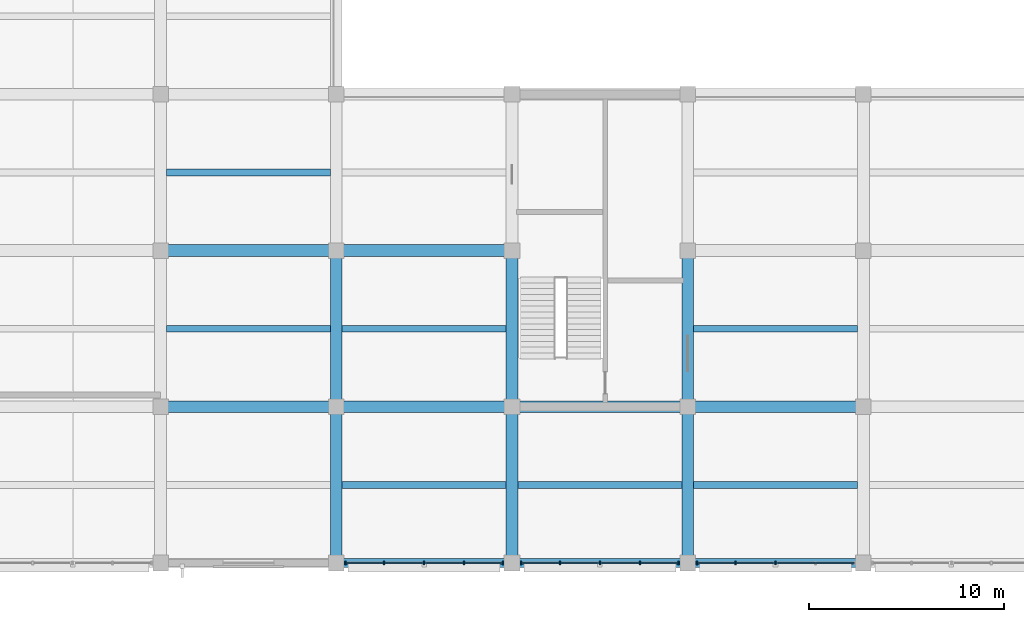
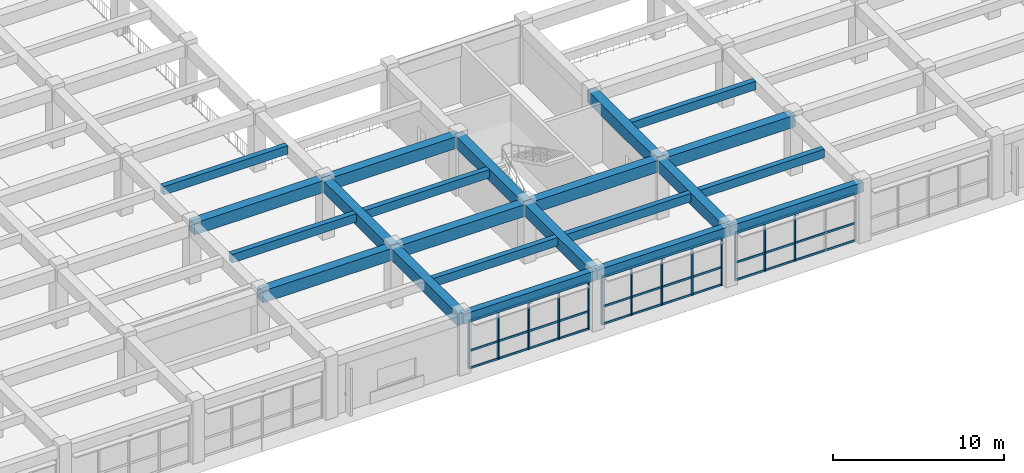
# One storey, part 9 of 50: 22 beams, 22 members, 3 elements without a shape of their own.
"""IFC4 building model written with IfcOpenShell, lengths in metres."""

import ifcopenshell
import ifcopenshell.guid

model = None  # the IFC model being written
_history = None  # IfcOwnerHistory: only IFC2X3 demands one
_inside = {}  # id of a spatial element -> (the spatial element, [elements in it])
_under = {}  # id of a project, library or spatial element -> (it, [spatial elements below it])
_declared = {}  # id of a project -> (the project, [libraries it declares])
_typed = {}  # id of a type object -> (the type object, [elements of that type])
_made_of = {}  # id of a material, layer set ... -> (it, [elements and type objects made of it])


def new_model(schema):
    """Start an empty IFC model of exactly this schema.

    Asked for "IFC4X3", IfcOpenShell would pick the latest addendum, in which some entities
    have other attributes; the version numbers below select the first issue.
    IFC2X3 requires an IfcOwnerHistory on every rooted entity: one is made here for all.
    """
    global model, _history
    if schema == "IFC4X3":
        model = ifcopenshell.file(schema_version=(4, 3, 0, 0))
    else:
        model = ifcopenshell.file(schema=schema)
    _inside.clear()
    _under.clear()
    _declared.clear()
    _typed.clear()
    _made_of.clear()
    _history = None
    if model.schema == "IFC2X3":
        org = make("IfcOrganization", Name="unknown")
        user = make(
            "IfcPersonAndOrganization",
            ThePerson=make("IfcPerson", FamilyName="unknown"),
            TheOrganization=org,
        )
        app = make(
            "IfcApplication",
            ApplicationDeveloper=org,
            Version="unknown",
            ApplicationFullName="unknown",
            ApplicationIdentifier="unknown",
        )
        _history = make(
            "IfcOwnerHistory",
            OwningUser=user,
            OwningApplication=app,
            ChangeAction="ADDED",
            CreationDate=0,
        )
    return model


def make(cls, **values):
    """One entity of the class cls with the attributes given. An attribute that is None is left unset."""
    return model.create_entity(
        cls, **{name: value for name, value in values.items() if value is not None}
    )


def rooted(cls, **values):
    """An entity with a GlobalId (a new one), such as an element, a storey or a relation."""
    return make(cls, GlobalId=ifcopenshell.guid.new(), OwnerHistory=_history, **values)


def si_unit(unit_type, name, prefix=None):
    """IfcSIUnit, for example si_unit("LENGTHUNIT", "METRE", prefix="MILLI")."""
    return make("IfcSIUnit", UnitType=unit_type, Prefix=prefix, Name=name)


def assignment(units):
    """IfcUnitAssignment: the units of a project."""
    return None if units is None else make("IfcUnitAssignment", Units=units)


def point(xyz):
    """IfcCartesianPoint."""
    return None if xyz is None else make("IfcCartesianPoint", Coordinates=xyz)


def direction(xyz):
    """IfcDirection."""
    return None if xyz is None else make("IfcDirection", DirectionRatios=xyz)


def frame(location, z_axis=None, x_axis=None):
    """IfcAxis2Placement3D, a coordinate frame: its origin and axes. An axis left out is left unset."""
    return make(
        "IfcAxis2Placement3D",
        Location=point(location),
        Axis=direction(z_axis),
        RefDirection=direction(x_axis),
    )


def frame_2d(location, x_axis=None):
    """IfcAxis2Placement2D, a coordinate frame in the plane: its origin and x axis."""
    return make(
        "IfcAxis2Placement2D", Location=point(location), RefDirection=direction(x_axis)
    )


def origin():
    """The frame at (0, 0, 0) with its axes left unset."""
    return frame((0.0, 0.0, 0.0))


def origin_2d():
    """The frame at (0, 0) in the plane with its x axis left unset."""
    return frame_2d((0.0, 0.0))


def place(relative_to, where):
    """IfcLocalPlacement: puts the frame where relative to a parent placement (None: the world)."""
    return make(
        "IfcLocalPlacement", PlacementRelTo=relative_to, RelativePlacement=where
    )


def context(
    kind, dimensions, precision=None, world=None, true_north=None, identifier=None
):
    """IfcGeometricRepresentationContext, for example the 3D "Model" context."""
    return make(
        "IfcGeometricRepresentationContext",
        ContextIdentifier=identifier,
        ContextType=kind,
        CoordinateSpaceDimension=dimensions,
        Precision=precision,
        WorldCoordinateSystem=world,
        TrueNorth=true_north,
    )


def subcontext(parent, identifier, kind, view, scale=None):
    """IfcGeometricRepresentationSubContext, for example "Body" below "Model"."""
    return make(
        "IfcGeometricRepresentationSubContext",
        ContextIdentifier=identifier,
        ContextType=kind,
        ParentContext=parent,
        TargetScale=scale,
        TargetView=view,
    )


def project(units=None, contexts=None):
    """IfcProject with its units and contexts."""
    return rooted(
        "IfcProject",
        Name="project",
        RepresentationContexts=contexts,
        UnitsInContext=assignment(units),
    )


def spatial(cls, under=None, at=None, **own):
    """A site, building, storey or space (cls), placed at a placement, below another one or the project."""
    s = rooted(cls, ObjectPlacement=at, **own)
    if under is not None:
        _under.setdefault(under.id(), (under, []))[1].append(s)
    return s


def profile(cls, at=None, kind="AREA", **sizes):
    """A parametric profile (cls). Its sizes go by their IFC names, for example OverallWidth=200.0."""
    return make(cls, ProfileType=kind, Position=at, **sizes)


def rectangle(**sizes):
    """IfcRectangleProfileDef."""
    return profile("IfcRectangleProfileDef", **sizes)


def extrude(swept, where, along, depth):
    """IfcExtrudedAreaSolid: the profile swept, set in the frame where, extruded along a direction by depth."""
    return make(
        "IfcExtrudedAreaSolid",
        SweptArea=swept,
        Position=where,
        ExtrudedDirection=direction(along),
        Depth=depth,
    )


def shape(context_of_items, identifier, shape_type, items):
    """IfcShapeRepresentation: the items that make up one representation, for example the "Body"."""
    return make(
        "IfcShapeRepresentation",
        ContextOfItems=context_of_items,
        RepresentationIdentifier=identifier,
        RepresentationType=shape_type,
        Items=items,
    )


def material(Name=None, Category=None):
    """IfcMaterial."""
    return make("IfcMaterial", Name=Name, Category=Category)


def material_profile(
    of_material, cross_section, Name=None, Category=None, Priority=None
):
    """IfcMaterialProfile: a cross section and its material."""
    return make(
        "IfcMaterialProfile",
        Name=Name,
        Material=of_material,
        Profile=cross_section,
        Priority=Priority,
        Category=Category,
    )


def profile_set(profiles, Name=None, composite=None):
    """IfcMaterialProfileSet."""
    return make(
        "IfcMaterialProfileSet",
        Name=Name,
        MaterialProfiles=profiles,
        CompositeProfile=composite,
    )


def made_of(thing, what):
    """Note that an element or type object is made of a material, layer set ...; save() writes the relation."""
    if what is not None:
        _made_of.setdefault(what.id(), (what, []))[1].append(thing)
    return thing


def type_object(cls, material=None, **own):
    """A type object (cls), such as IfcWallType, which elements share."""
    return made_of(rooted(cls, **own), material)


def element(
    cls,
    number,
    at=None,
    inside=None,
    cuts=None,
    type_object=None,
    material=None,
    context=None,
    identifier="Body",
    shape_type=None,
    held_by="IfcProductDefinitionShape",
    body=None,
    shapes=None,
    **own,
):
    """One element of the class cls, such as IfcWall. Its Tag is "e" and its number.

    at: its placement. inside: the storey or other place that contains it. cuts: it is an
    opening in that element (IfcRelVoidsElement). A single representation is given by context,
    identifier, shape_type and body (its items); several are given by shapes. held_by: the class
    of the entity that holds the representations. save() writes the other relations.
    """
    e = rooted(cls, Tag="e%d" % number, ObjectPlacement=at, **own)
    if body is not None:
        shapes = [shape(context, identifier, shape_type, body)]
    if shapes is not None:
        e.Representation = make(held_by, Representations=shapes)
    if inside is not None:
        _inside.setdefault(inside.id(), (inside, []))[1].append(e)
    if cuts is not None:
        rooted(
            "IfcRelVoidsElement", RelatingBuildingElement=cuts, RelatedOpeningElement=e
        )
    if type_object is not None:
        _typed.setdefault(type_object.id(), (type_object, []))[1].append(e)
    return made_of(e, material)


def aggregate(whole, parts):
    """IfcRelAggregates: a whole, such as a stair, and the parts it consists of."""
    return rooted("IfcRelAggregates", RelatingObject=whole, RelatedObjects=parts)


def save(model, path):
    """Write the relations noted so far, then the file.

    IfcRelAggregates (storeys below a building ...), IfcRelContainedInSpatialStructure (elements
    in a storey), IfcRelDefinesByType, IfcRelAssociatesMaterial and IfcRelDeclares: one each for
    every whole, place, type object, material and project.
    """
    for whole, parts in _under.values():
        aggregate(whole, parts)
    for where, things in _inside.values():
        rooted(
            "IfcRelContainedInSpatialStructure",
            RelatedElements=things,
            RelatingStructure=where,
        )
    for kind, things in _typed.values():
        rooted("IfcRelDefinesByType", RelatedObjects=things, RelatingType=kind)
    for what, things in _made_of.values():
        rooted("IfcRelAssociatesMaterial", RelatedObjects=things, RelatingMaterial=what)
    for by, libraries in _declared.values():
        rooted("IfcRelDeclares", RelatingContext=by, RelatedDefinitions=libraries)
    model.write(path)


model = new_model("IFC4")

# Units and contexts
model_context = context("Model", 3, precision=1e-05, world=origin(), true_north=direction((0.0, 1.0)))
body_context = subcontext(model_context, "Body", "Model", "MODEL_VIEW")
ifc_project = project(units=[si_unit("LENGTHUNIT", "METRE"), si_unit("AREAUNIT", "SQUARE_METRE"), si_unit("VOLUMEUNIT", "CUBIC_METRE"), si_unit("PLANEANGLEUNIT", "RADIAN"), si_unit("MASSUNIT", "GRAM", prefix="KILO")], contexts=[model_context])

# Site, building, storey
site_placement = place(None, origin())
site = spatial("IfcSite", under=ifc_project, at=site_placement, CompositionType="ELEMENT")
building_placement = place(site_placement, origin())
building = spatial("IfcBuilding", under=site, at=building_placement, Name="Zaverband Oceanarium and Marine Research Institute", CompositionType="ELEMENT")
storey_placement = place(building_placement, frame((0.0, 0.0, 4.5)))
storey = spatial("IfcBuildingStorey", under=building, at=storey_placement, Name="L01", CompositionType="ELEMENT", Elevation=4.5)

# Beams
ifc_material_1 = material(Name="Concrete C40/50", Category="concrete")
ifc_material_profile_1 = material_profile(ifc_material_1, rectangle(XDim=0.60009765625, YDim=0.85009765625, at=origin_2d()), Name="RC600x850")
ifc_profile_set_1 = profile_set([ifc_material_profile_1], Name="Concrete C40/50")
beam_type_1 = type_object("IfcBeamType", Name="BM-600x850", PredefinedType="BEAM", material=ifc_profile_set_1)
for number, where, z_axis, x_axis, name in (
    (1, (63.0, 8.0, 3.7548828125), (1.0, 0.0, 0.0), (0.0, 1.0, 0.0), "Primary floor girder BM-600x850"),
    (2, (72.0, 8.0, 3.7548828125), (1.0, 0.0, 0.0), (0.0, 1.0, 0.0), "Primary floor girder BM-600x850"),
    (3, (81.0, 8.0, 3.7548828125), (1.0, 0.0, 0.0), (0.0, 1.0, 0.0), "Primary floor girder BM-600x850"),
    (4, (90.0, 8.0, 3.7548828125), (1.0, 0.0, 0.0), (0.0, 1.0, 0.0), "Primary floor girder BM-600x850"),
    (5, (63.0, 16.0, 3.7548828125), (1.0, 0.0, 0.0), (0.0, 1.0, 0.0), "Primary floor girder BM-600x850"),
    (6, (72.0, 16.0, 3.7548828125), (1.0, 0.0, 0.0), (0.0, 1.0, 0.0), "Primary floor girder BM-600x850"),
):
    element("IfcBeam", number, at=place(storey_placement, frame(where, z_axis=z_axis, x_axis=x_axis)), inside=storey, type_object=beam_type_1, Name=name, PredefinedType="BEAM", context=body_context, shape_type="SweptSolid", body=[
        extrude(rectangle(XDim=0.60009765625, YDim=0.85009765625, at=origin_2d()), origin(), (0.0, 0.0, 1.0), 9.0),
    ])
for number, where, z_axis, x_axis, name in (
    (7, (72.0, 0.0, 3.7548828125), (0.0, 1.0, 0.0), (-1.0, 0.0, 0.0), "Primary floor girder BM-600x850"),
    (8, (72.0, 8.0, 3.7548828125), (0.0, 1.0, 0.0), (-1.0, 0.0, 0.0), "Primary floor girder BM-600x850"),
    (9, (81.0, 0.0, 3.7548828125), (0.0, 1.0, 0.0), (-1.0, 0.0, 0.0), "Primary floor girder BM-600x850"),
    (10, (81.0, 8.0, 3.7548828125), (0.0, 1.0, 0.0), (-1.0, 0.0, 0.0), "Primary floor girder BM-600x850"),
    (11, (90.0, 0.0, 3.7548828125), (0.0, 1.0, 0.0), (-1.0, 0.0, 0.0), "Primary floor girder BM-600x850"),
    (12, (90.0, 8.0, 3.7548828125), (0.0, 1.0, 0.0), (-1.0, 0.0, 0.0), "Primary floor girder BM-600x850"),
):
    element("IfcBeam", number, at=place(storey_placement, frame(where, z_axis=z_axis, x_axis=x_axis)), inside=storey, type_object=beam_type_1, Name=name, PredefinedType="BEAM", context=body_context, shape_type="SweptSolid", body=[
        extrude(rectangle(XDim=0.60009765625, YDim=0.85009765625, at=origin_2d()), origin(), (0.0, 0.0, 1.0), 8.0),
    ])
ifc_material_profile_2 = material_profile(ifc_material_1, rectangle(XDim=0.35009765625, YDim=0.60009765625, at=origin_2d()), Name="RC350x600")
ifc_profile_set_2 = profile_set([ifc_material_profile_2], Name="Concrete C40/50")
beam_type_2 = type_object("IfcBeamType", Name="JST-350x600", PredefinedType="JOIST", material=ifc_profile_set_2)
for number, where, z_axis, x_axis, name in (
    (13, (63.300048828125, 12.0, 3.8798828125), (1.0, 0.0, 0.0), (0.0, 1.0, 0.0), "Secondary floor joist JST-350x600"),
    (14, (63.300048828125, 20.0, 3.8798828125), (1.0, 0.0, 0.0), (0.0, 1.0, 0.0), "Secondary floor joist JST-350x600"),
    (15, (72.300048828125, 4.0, 3.8798828125), (1.0, 0.0, 0.0), (0.0, 1.0, 0.0), "Secondary floor joist JST-350x600"),
    (16, (72.300048828125, 12.0, 3.8798828125), (1.0, 0.0, 0.0), (0.0, 1.0, 0.0), "Secondary floor joist JST-350x600"),
    (17, (81.300048828125, 4.0, 3.8798828125), (1.0, 0.0, 0.0), (0.0, 1.0, 0.0), "Secondary floor joist JST-350x600"),
    (18, (90.300048828125, 4.0, 3.8798828125), (1.0, 0.0, 0.0), (0.0, 1.0, 0.0), "Secondary floor joist JST-350x600"),
    (19, (90.300048828125, 12.0, 3.8798828125), (1.0, 0.0, 0.0), (0.0, 1.0, 0.0), "Secondary floor joist JST-350x600"),
):
    element("IfcBeam", number, at=place(storey_placement, frame(where, z_axis=z_axis, x_axis=x_axis)), inside=storey, type_object=beam_type_2, Name=name, PredefinedType="JOIST", context=body_context, shape_type="SweptSolid", body=[
        extrude(rectangle(XDim=0.35009765625, YDim=0.60009765625, at=origin_2d()), origin(), (0.0, 0.0, 1.0), 8.39990234375),
    ])

# Curtain wall, members
ifc_material_2 = material(Name="Thermally broken anodized aluminium and solar-control glass", Category="aluminium")
curtain_wall_type = type_object("IfcCurtainWallType", Name="CW-UNIT-1800", PredefinedType="NOTDEFINED", material=ifc_material_2)
curtain_wall_1_placement = place(storey_placement, origin())
curtain_wall_1 = element("IfcCurtainWall", 20, at=curtain_wall_1_placement, inside=storey, type_object=curtain_wall_type, Name="Unitised glazed curtain wall CW-017", PredefinedType="NOTDEFINED")
ifc_material_3 = material(Name="Thermally broken anodized aluminium", Category="aluminium")
ifc_material_profile_3 = material_profile(ifc_material_3, rectangle(XDim=0.080078125, YDim=0.179931640625, at=origin_2d()), Name="AL-MUL-80x180")
ifc_profile_set_3 = profile_set([ifc_material_profile_3], Name="Thermally broken anodized aluminium")
member_type_1 = type_object("IfcMemberType", Name="MUL-80x180", PredefinedType="MULLION", material=ifc_profile_set_3)
member_1_placement = place(storey_placement, frame((72.465087890625, 0.0, 0.0), z_axis=(0.0, 0.0, 1.0), x_axis=(1.0, 0.0, 0.0)))
member_1 = element("IfcMember", 21, at=member_1_placement, type_object=member_type_1, Name="Curtain wall vertical mullion MUL-80x180", PredefinedType="MULLION", context=body_context, shape_type="SweptSolid", body=[
    extrude(rectangle(XDim=0.080078125, YDim=0.179931640625, at=origin_2d()), origin(), (0.0, 0.0, 1.0), 3.4599609375),
])
member_2_placement = place(storey_placement, frame((74.452392578125, 0.0, 0.0), z_axis=(0.0, 0.0, 1.0), x_axis=(1.0, 0.0, 0.0)))
member_2 = element("IfcMember", 22, at=member_2_placement, type_object=member_type_1, Name="Curtain wall vertical mullion MUL-80x180", PredefinedType="MULLION", context=body_context, shape_type="SweptSolid", body=[
    extrude(rectangle(XDim=0.080078125, YDim=0.179931640625, at=origin_2d()), origin(), (0.0, 0.0, 1.0), 3.4599609375),
])
member_3_placement = place(storey_placement, frame((76.5, 0.0, 0.0), z_axis=(0.0, 0.0, 1.0), x_axis=(1.0, 0.0, 0.0)))
member_3 = element("IfcMember", 23, at=member_3_placement, type_object=member_type_1, Name="Curtain wall vertical mullion MUL-80x180", PredefinedType="MULLION", context=body_context, shape_type="SweptSolid", body=[
    extrude(rectangle(XDim=0.080078125, YDim=0.179931640625, at=origin_2d()), origin(), (0.0, 0.0, 1.0), 3.4599609375),
])
member_4_placement = place(storey_placement, frame((78.547607421875, 0.0, 0.0), z_axis=(0.0, 0.0, 1.0), x_axis=(1.0, 0.0, 0.0)))
member_4 = element("IfcMember", 24, at=member_4_placement, type_object=member_type_1, Name="Curtain wall vertical mullion MUL-80x180", PredefinedType="MULLION", context=body_context, shape_type="SweptSolid", body=[
    extrude(rectangle(XDim=0.080078125, YDim=0.179931640625, at=origin_2d()), origin(), (0.0, 0.0, 1.0), 3.4599609375),
])
member_5_placement = place(storey_placement, frame((80.534912109375, 0.0, 0.0), z_axis=(0.0, 0.0, 1.0), x_axis=(1.0, 0.0, 0.0)))
member_5 = element("IfcMember", 25, at=member_5_placement, type_object=member_type_1, Name="Curtain wall vertical mullion MUL-80x180", PredefinedType="MULLION", context=body_context, shape_type="SweptSolid", body=[
    extrude(rectangle(XDim=0.080078125, YDim=0.179931640625, at=origin_2d()), origin(), (0.0, 0.0, 1.0), 3.4599609375),
])

curtain_wall_2_placement = place(storey_placement, origin())
curtain_wall_2 = element("IfcCurtainWall", 26, at=curtain_wall_2_placement, inside=storey, type_object=curtain_wall_type, Name="Unitised glazed curtain wall CW-018", PredefinedType="NOTDEFINED")
member_6_placement = place(storey_placement, frame((81.465087890625, 0.0, 0.0), z_axis=(0.0, 0.0, 1.0), x_axis=(1.0, 0.0, 0.0)))
member_6 = element("IfcMember", 27, at=member_6_placement, type_object=member_type_1, Name="Curtain wall vertical mullion MUL-80x180", PredefinedType="MULLION", context=body_context, shape_type="SweptSolid", body=[
    extrude(rectangle(XDim=0.080078125, YDim=0.179931640625, at=origin_2d()), origin(), (0.0, 0.0, 1.0), 3.4599609375),
])
member_7_placement = place(storey_placement, frame((83.452392578125, 0.0, 0.0), z_axis=(0.0, 0.0, 1.0), x_axis=(1.0, 0.0, 0.0)))
member_7 = element("IfcMember", 28, at=member_7_placement, type_object=member_type_1, Name="Curtain wall vertical mullion MUL-80x180", PredefinedType="MULLION", context=body_context, shape_type="SweptSolid", body=[
    extrude(rectangle(XDim=0.080078125, YDim=0.179931640625, at=origin_2d()), origin(), (0.0, 0.0, 1.0), 3.4599609375),
])
member_8_placement = place(storey_placement, frame((85.5, 0.0, 0.0), z_axis=(0.0, 0.0, 1.0), x_axis=(1.0, 0.0, 0.0)))
member_8 = element("IfcMember", 29, at=member_8_placement, type_object=member_type_1, Name="Curtain wall vertical mullion MUL-80x180", PredefinedType="MULLION", context=body_context, shape_type="SweptSolid", body=[
    extrude(rectangle(XDim=0.080078125, YDim=0.179931640625, at=origin_2d()), origin(), (0.0, 0.0, 1.0), 3.4599609375),
])
member_9_placement = place(storey_placement, frame((87.547607421875, 0.0, 0.0), z_axis=(0.0, 0.0, 1.0), x_axis=(1.0, 0.0, 0.0)))
member_9 = element("IfcMember", 30, at=member_9_placement, type_object=member_type_1, Name="Curtain wall vertical mullion MUL-80x180", PredefinedType="MULLION", context=body_context, shape_type="SweptSolid", body=[
    extrude(rectangle(XDim=0.080078125, YDim=0.179931640625, at=origin_2d()), origin(), (0.0, 0.0, 1.0), 3.4599609375),
])
member_10_placement = place(storey_placement, frame((89.534912109375, 0.0, 0.0), z_axis=(0.0, 0.0, 1.0), x_axis=(1.0, 0.0, 0.0)))
member_10 = element("IfcMember", 31, at=member_10_placement, type_object=member_type_1, Name="Curtain wall vertical mullion MUL-80x180", PredefinedType="MULLION", context=body_context, shape_type="SweptSolid", body=[
    extrude(rectangle(XDim=0.080078125, YDim=0.179931640625, at=origin_2d()), origin(), (0.0, 0.0, 1.0), 3.4599609375),
])

curtain_wall_3_placement = place(storey_placement, origin())
curtain_wall_3 = element("IfcCurtainWall", 32, at=curtain_wall_3_placement, inside=storey, type_object=curtain_wall_type, Name="Unitised glazed curtain wall CW-019", PredefinedType="NOTDEFINED")
member_11_placement = place(storey_placement, frame((90.465087890625, 0.0, 0.0), z_axis=(0.0, 0.0, 1.0), x_axis=(1.0, 0.0, 0.0)))
member_11 = element("IfcMember", 33, at=member_11_placement, type_object=member_type_1, Name="Curtain wall vertical mullion MUL-80x180", PredefinedType="MULLION", context=body_context, shape_type="SweptSolid", body=[
    extrude(rectangle(XDim=0.080078125, YDim=0.179931640625, at=origin_2d()), origin(), (0.0, 0.0, 1.0), 3.4599609375),
])
member_12_placement = place(storey_placement, frame((92.452392578125, 0.0, 0.0), z_axis=(0.0, 0.0, 1.0), x_axis=(1.0, 0.0, 0.0)))
member_12 = element("IfcMember", 34, at=member_12_placement, type_object=member_type_1, Name="Curtain wall vertical mullion MUL-80x180", PredefinedType="MULLION", context=body_context, shape_type="SweptSolid", body=[
    extrude(rectangle(XDim=0.080078125, YDim=0.179931640625, at=origin_2d()), origin(), (0.0, 0.0, 1.0), 3.4599609375),
])
member_13_placement = place(storey_placement, frame((94.5, 0.0, 0.0), z_axis=(0.0, 0.0, 1.0), x_axis=(1.0, 0.0, 0.0)))
member_13 = element("IfcMember", 35, at=member_13_placement, type_object=member_type_1, Name="Curtain wall vertical mullion MUL-80x180", PredefinedType="MULLION", context=body_context, shape_type="SweptSolid", body=[
    extrude(rectangle(XDim=0.080078125, YDim=0.179931640625, at=origin_2d()), origin(), (0.0, 0.0, 1.0), 3.4599609375),
])

# Beams
ifc_material_profile_4 = material_profile(ifc_material_1, rectangle(XDim=0.449951171875, YDim=0.699951171875, at=origin_2d()), Name="RC450x700")
ifc_profile_set_4 = profile_set([ifc_material_profile_4], Name="Concrete C40/50")
beam_type_3 = type_object("IfcBeamType", Name="SPN-450x700", PredefinedType="SPANDREL", material=ifc_profile_set_4)
for number, where, z_axis, x_axis, name in (
    (36, (72.0, 0.0, 3.830078125), (1.0, 0.0, 0.0), (0.0, 1.0, 0.0), "Perimeter spandrel beam SPN-450x700"),
    (37, (81.0, 0.0, 3.830078125), (1.0, 0.0, 0.0), (0.0, 1.0, 0.0), "Perimeter spandrel beam SPN-450x700"),
    (38, (90.0, 0.0, 3.830078125), (1.0, 0.0, 0.0), (0.0, 1.0, 0.0), "Perimeter spandrel beam SPN-450x700"),
):
    element("IfcBeam", number, at=place(storey_placement, frame(where, z_axis=z_axis, x_axis=x_axis)), inside=storey, type_object=beam_type_3, Name=name, PredefinedType="SPANDREL", context=body_context, shape_type="SweptSolid", body=[
        extrude(rectangle(XDim=0.449951171875, YDim=0.699951171875, at=origin_2d()), origin(), (0.0, 0.0, 1.0), 9.0),
    ])

# Member
ifc_material_profile_5 = material_profile(ifc_material_3, rectangle(XDim=0.080078125, YDim=0.139892578125, at=origin_2d()), Name="AL-TRN-80x140")
ifc_profile_set_5 = profile_set([ifc_material_profile_5], Name="Thermally broken anodized aluminium")
member_type_2 = type_object("IfcMemberType", Name="TRN-80x140", PredefinedType="USERDEFINED", material=ifc_profile_set_5)
member_14_placement = place(storey_placement, frame((72.465087890625, 0.0, 0.050048828125), z_axis=(1.0, 0.0, 0.0), x_axis=(0.0, 1.0, 0.0)))
member_14 = element("IfcMember", 39, at=member_14_placement, type_object=member_type_2, Name="Curtain wall horizontal transom TRN-80x140", ObjectType="TRANSOM", PredefinedType="USERDEFINED", context=body_context, shape_type="SweptSolid", body=[
    extrude(rectangle(XDim=0.080078125, YDim=0.139892578125, at=origin_2d()), origin(), (0.0, 0.0, 1.0), 8.06982421875),
])

member_15_placement = place(storey_placement, frame((72.465087890625, 0.0, 1.291015625), z_axis=(1.0, 0.0, 0.0), x_axis=(0.0, 1.0, 0.0)))
member_15 = element("IfcMember", 40, at=member_15_placement, type_object=member_type_2, Name="Curtain wall horizontal transom TRN-80x140", ObjectType="TRANSOM", PredefinedType="USERDEFINED", context=body_context, shape_type="SweptSolid", body=[
    extrude(rectangle(XDim=0.080078125, YDim=0.139892578125, at=origin_2d()), origin(), (0.0, 0.0, 1.0), 8.06982421875),
])

member_16_placement = place(storey_placement, frame((72.465087890625, 0.0, 3.409912109375), z_axis=(1.0, 0.0, 0.0), x_axis=(0.0, 1.0, 0.0)))
member_16 = element("IfcMember", 41, at=member_16_placement, type_object=member_type_2, Name="Curtain wall horizontal transom TRN-80x140", ObjectType="TRANSOM", PredefinedType="USERDEFINED", context=body_context, shape_type="SweptSolid", body=[
    extrude(rectangle(XDim=0.080078125, YDim=0.139892578125, at=origin_2d()), origin(), (0.0, 0.0, 1.0), 8.06982421875),
])

aggregate(curtain_wall_1, [member_1, member_2, member_3, member_4, member_5, member_14, member_15, member_16])

member_17_placement = place(storey_placement, frame((81.465087890625, 0.0, 0.050048828125), z_axis=(1.0, 0.0, 0.0), x_axis=(0.0, 1.0, 0.0)))
member_17 = element("IfcMember", 42, at=member_17_placement, type_object=member_type_2, Name="Curtain wall horizontal transom TRN-80x140", ObjectType="TRANSOM", PredefinedType="USERDEFINED", context=body_context, shape_type="SweptSolid", body=[
    extrude(rectangle(XDim=0.080078125, YDim=0.139892578125, at=origin_2d()), origin(), (0.0, 0.0, 1.0), 8.06982421875),
])

member_18_placement = place(storey_placement, frame((81.465087890625, 0.0, 1.291015625), z_axis=(1.0, 0.0, 0.0), x_axis=(0.0, 1.0, 0.0)))
member_18 = element("IfcMember", 43, at=member_18_placement, type_object=member_type_2, Name="Curtain wall horizontal transom TRN-80x140", ObjectType="TRANSOM", PredefinedType="USERDEFINED", context=body_context, shape_type="SweptSolid", body=[
    extrude(rectangle(XDim=0.080078125, YDim=0.139892578125, at=origin_2d()), origin(), (0.0, 0.0, 1.0), 8.06982421875),
])

member_19_placement = place(storey_placement, frame((81.465087890625, 0.0, 3.409912109375), z_axis=(1.0, 0.0, 0.0), x_axis=(0.0, 1.0, 0.0)))
member_19 = element("IfcMember", 44, at=member_19_placement, type_object=member_type_2, Name="Curtain wall horizontal transom TRN-80x140", ObjectType="TRANSOM", PredefinedType="USERDEFINED", context=body_context, shape_type="SweptSolid", body=[
    extrude(rectangle(XDim=0.080078125, YDim=0.139892578125, at=origin_2d()), origin(), (0.0, 0.0, 1.0), 8.06982421875),
])

aggregate(curtain_wall_2, [member_6, member_7, member_8, member_9, member_10, member_17, member_18, member_19])

member_20_placement = place(storey_placement, frame((90.465087890625, 0.0, 0.050048828125), z_axis=(1.0, 0.0, 0.0), x_axis=(0.0, 1.0, 0.0)))
member_20 = element("IfcMember", 45, at=member_20_placement, type_object=member_type_2, Name="Curtain wall horizontal transom TRN-80x140", ObjectType="TRANSOM", PredefinedType="USERDEFINED", context=body_context, shape_type="SweptSolid", body=[
    extrude(rectangle(XDim=0.080078125, YDim=0.139892578125, at=origin_2d()), origin(), (0.0, 0.0, 1.0), 8.06982421875),
])

member_21_placement = place(storey_placement, frame((90.465087890625, 0.0, 1.291015625), z_axis=(1.0, 0.0, 0.0), x_axis=(0.0, 1.0, 0.0)))
member_21 = element("IfcMember", 46, at=member_21_placement, type_object=member_type_2, Name="Curtain wall horizontal transom TRN-80x140", ObjectType="TRANSOM", PredefinedType="USERDEFINED", context=body_context, shape_type="SweptSolid", body=[
    extrude(rectangle(XDim=0.080078125, YDim=0.139892578125, at=origin_2d()), origin(), (0.0, 0.0, 1.0), 8.06982421875),
])

member_22_placement = place(storey_placement, frame((90.465087890625, 0.0, 3.409912109375), z_axis=(1.0, 0.0, 0.0), x_axis=(0.0, 1.0, 0.0)))
member_22 = element("IfcMember", 47, at=member_22_placement, type_object=member_type_2, Name="Curtain wall horizontal transom TRN-80x140", ObjectType="TRANSOM", PredefinedType="USERDEFINED", context=body_context, shape_type="SweptSolid", body=[
    extrude(rectangle(XDim=0.080078125, YDim=0.139892578125, at=origin_2d()), origin(), (0.0, 0.0, 1.0), 8.06982421875),
])

aggregate(curtain_wall_3, [member_11, member_12, member_13, member_20, member_21, member_22])

save(model, "model.ifc")
